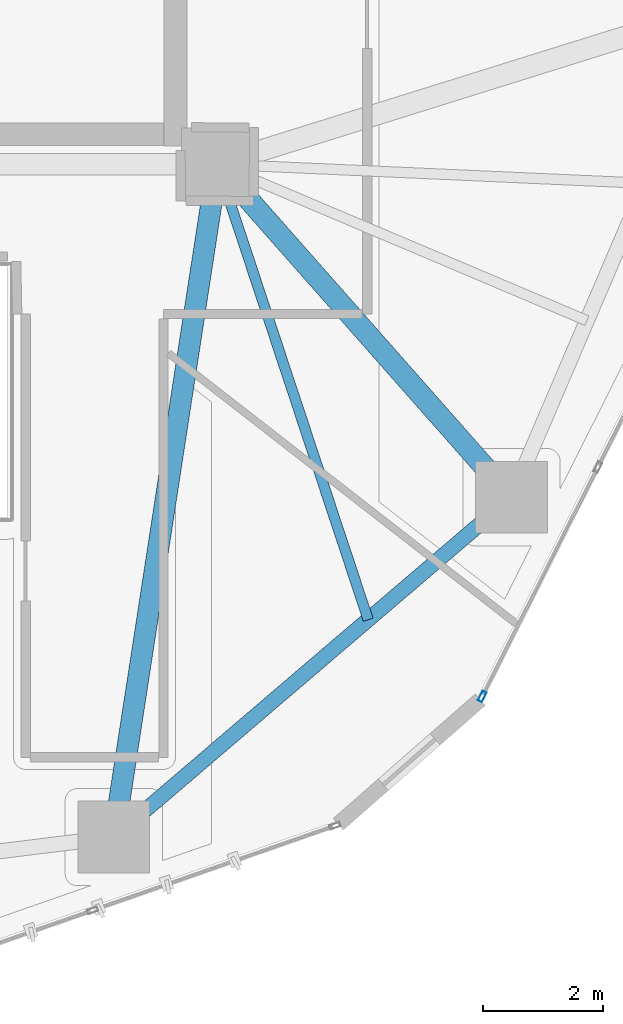
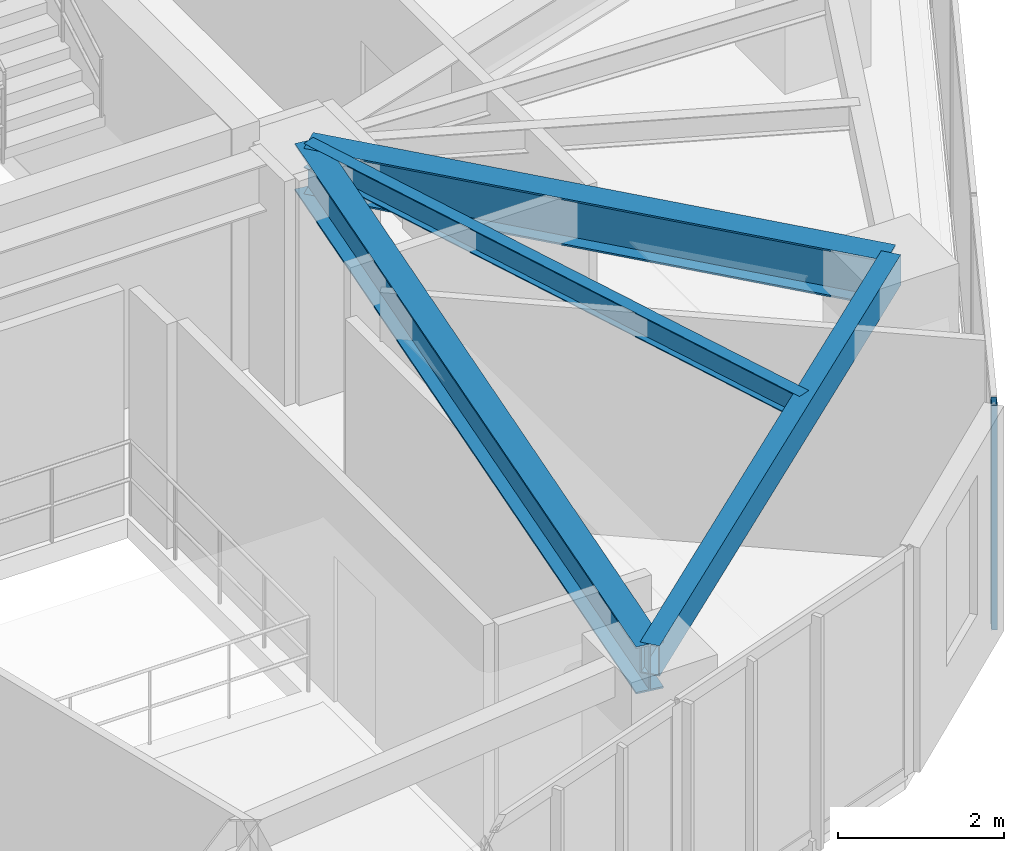
# One storey, part 6 of 21: 4 beams, 1 member, 1 element without a shape of its own.
"""IFC4 building model written with IfcOpenShell, lengths in metres."""

import ifcopenshell
import ifcopenshell.guid

model = None  # the IFC model being written
_history = None  # IfcOwnerHistory: only IFC2X3 demands one
_inside = {}  # id of a spatial element -> (the spatial element, [elements in it])
_under = {}  # id of a project, library or spatial element -> (it, [spatial elements below it])
_declared = {}  # id of a project -> (the project, [libraries it declares])
_typed = {}  # id of a type object -> (the type object, [elements of that type])
_made_of = {}  # id of a material, layer set ... -> (it, [elements and type objects made of it])


def new_model(schema):
    """Start an empty IFC model of exactly this schema.

    Asked for "IFC4X3", IfcOpenShell would pick the latest addendum, in which some entities
    have other attributes; the version numbers below select the first issue.
    IFC2X3 requires an IfcOwnerHistory on every rooted entity: one is made here for all.
    """
    global model, _history
    if schema == "IFC4X3":
        model = ifcopenshell.file(schema_version=(4, 3, 0, 0))
    else:
        model = ifcopenshell.file(schema=schema)
    _inside.clear()
    _under.clear()
    _declared.clear()
    _typed.clear()
    _made_of.clear()
    _history = None
    if model.schema == "IFC2X3":
        org = make("IfcOrganization", Name="unknown")
        user = make(
            "IfcPersonAndOrganization",
            ThePerson=make("IfcPerson", FamilyName="unknown"),
            TheOrganization=org,
        )
        app = make(
            "IfcApplication",
            ApplicationDeveloper=org,
            Version="unknown",
            ApplicationFullName="unknown",
            ApplicationIdentifier="unknown",
        )
        _history = make(
            "IfcOwnerHistory",
            OwningUser=user,
            OwningApplication=app,
            ChangeAction="ADDED",
            CreationDate=0,
        )
    return model


def make(cls, **values):
    """One entity of the class cls with the attributes given. An attribute that is None is left unset."""
    return model.create_entity(
        cls, **{name: value for name, value in values.items() if value is not None}
    )


def rooted(cls, **values):
    """An entity with a GlobalId (a new one), such as an element, a storey or a relation."""
    return make(cls, GlobalId=ifcopenshell.guid.new(), OwnerHistory=_history, **values)


def si_unit(unit_type, name, prefix=None):
    """IfcSIUnit, for example si_unit("LENGTHUNIT", "METRE", prefix="MILLI")."""
    return make("IfcSIUnit", UnitType=unit_type, Prefix=prefix, Name=name)


def assignment(units):
    """IfcUnitAssignment: the units of a project."""
    return None if units is None else make("IfcUnitAssignment", Units=units)


def point(xyz):
    """IfcCartesianPoint."""
    return None if xyz is None else make("IfcCartesianPoint", Coordinates=xyz)


def direction(xyz):
    """IfcDirection."""
    return None if xyz is None else make("IfcDirection", DirectionRatios=xyz)


def frame(location, z_axis=None, x_axis=None):
    """IfcAxis2Placement3D, a coordinate frame: its origin and axes. An axis left out is left unset."""
    return make(
        "IfcAxis2Placement3D",
        Location=point(location),
        Axis=direction(z_axis),
        RefDirection=direction(x_axis),
    )


def frame_2d(location, x_axis=None):
    """IfcAxis2Placement2D, a coordinate frame in the plane: its origin and x axis."""
    return make(
        "IfcAxis2Placement2D", Location=point(location), RefDirection=direction(x_axis)
    )


def origin():
    """The frame at (0, 0, 0) with its axes left unset."""
    return frame((0.0, 0.0, 0.0))


def origin_2d():
    """The frame at (0, 0) in the plane with its x axis left unset."""
    return frame_2d((0.0, 0.0))


def place(relative_to, where):
    """IfcLocalPlacement: puts the frame where relative to a parent placement (None: the world)."""
    return make(
        "IfcLocalPlacement", PlacementRelTo=relative_to, RelativePlacement=where
    )


def context(
    kind, dimensions, precision=None, world=None, true_north=None, identifier=None
):
    """IfcGeometricRepresentationContext, for example the 3D "Model" context."""
    return make(
        "IfcGeometricRepresentationContext",
        ContextIdentifier=identifier,
        ContextType=kind,
        CoordinateSpaceDimension=dimensions,
        Precision=precision,
        WorldCoordinateSystem=world,
        TrueNorth=true_north,
    )


def subcontext(parent, identifier, kind, view, scale=None):
    """IfcGeometricRepresentationSubContext, for example "Body" below "Model"."""
    return make(
        "IfcGeometricRepresentationSubContext",
        ContextIdentifier=identifier,
        ContextType=kind,
        ParentContext=parent,
        TargetScale=scale,
        TargetView=view,
    )


def project(units=None, contexts=None):
    """IfcProject with its units and contexts."""
    return rooted(
        "IfcProject",
        Name="project",
        RepresentationContexts=contexts,
        UnitsInContext=assignment(units),
    )


def spatial(cls, under=None, at=None, **own):
    """A site, building, storey or space (cls), placed at a placement, below another one or the project."""
    s = rooted(cls, ObjectPlacement=at, **own)
    if under is not None:
        _under.setdefault(under.id(), (under, []))[1].append(s)
    return s


def profile(cls, at=None, kind="AREA", **sizes):
    """A parametric profile (cls). Its sizes go by their IFC names, for example OverallWidth=200.0."""
    return make(cls, ProfileType=kind, Position=at, **sizes)


def hollow_rectangle(**sizes):
    """IfcRectangleHollowProfileDef."""
    return profile("IfcRectangleHollowProfileDef", **sizes)


def i_section(**sizes):
    """IfcIShapeProfileDef."""
    return profile("IfcIShapeProfileDef", **sizes)


def extrude(swept, where, along, depth):
    """IfcExtrudedAreaSolid: the profile swept, set in the frame where, extruded along a direction by depth."""
    return make(
        "IfcExtrudedAreaSolid",
        SweptArea=swept,
        Position=where,
        ExtrudedDirection=direction(along),
        Depth=depth,
    )


def shape(context_of_items, identifier, shape_type, items):
    """IfcShapeRepresentation: the items that make up one representation, for example the "Body"."""
    return make(
        "IfcShapeRepresentation",
        ContextOfItems=context_of_items,
        RepresentationIdentifier=identifier,
        RepresentationType=shape_type,
        Items=items,
    )


def source(mapping_origin, context_of_items, identifier, shape_type, items):
    """IfcRepresentationMap: a shape defined once, which mapped items show again and again."""
    return make(
        "IfcRepresentationMap",
        MappingOrigin=mapping_origin,
        MappedRepresentation=shape(context_of_items, identifier, shape_type, items),
    )


def transform(
    local_origin,
    x_axis=None,
    y_axis=None,
    z_axis=None,
    scale=None,
    scale2=None,
    scale3=None,
    uniform=True,
):
    """IfcCartesianTransformationOperator3D, or its non-uniform kind. x_axis, y_axis, z_axis: its Axis1, 2, 3."""
    if uniform:
        return make(
            "IfcCartesianTransformationOperator3D",
            Axis1=direction(x_axis),
            Axis2=direction(y_axis),
            LocalOrigin=point(local_origin),
            Scale=scale,
            Axis3=direction(z_axis),
        )
    return make(
        "IfcCartesianTransformationOperator3DnonUniform",
        Axis1=direction(x_axis),
        Axis2=direction(y_axis),
        LocalOrigin=point(local_origin),
        Scale=scale,
        Axis3=direction(z_axis),
        Scale2=scale2,
        Scale3=scale3,
    )


def mapped(mapping_source, mapping_target):
    """IfcMappedItem: shows the shape of a source again, moved by a transform."""
    return make(
        "IfcMappedItem", MappingSource=mapping_source, MappingTarget=mapping_target
    )


def material(Name=None, Category=None):
    """IfcMaterial."""
    return make("IfcMaterial", Name=Name, Category=Category)


def layer(
    of_material, thickness, ventilated=None, Name=None, Category=None, Priority=None
):
    """IfcMaterialLayer: one layer of a wall or slab, of a material (None: an air gap)."""
    return make(
        "IfcMaterialLayer",
        Material=of_material,
        LayerThickness=thickness,
        IsVentilated=ventilated,
        Name=Name,
        Category=Category,
        Priority=Priority,
    )


def layer_set(layers, Name=None):
    """IfcMaterialLayerSet."""
    return make("IfcMaterialLayerSet", MaterialLayers=layers, LayerSetName=Name)


def material_profile(
    of_material, cross_section, Name=None, Category=None, Priority=None
):
    """IfcMaterialProfile: a cross section and its material."""
    return make(
        "IfcMaterialProfile",
        Name=Name,
        Material=of_material,
        Profile=cross_section,
        Priority=Priority,
        Category=Category,
    )


def profile_set(profiles, Name=None, composite=None):
    """IfcMaterialProfileSet."""
    return make(
        "IfcMaterialProfileSet",
        Name=Name,
        MaterialProfiles=profiles,
        CompositeProfile=composite,
    )


def made_of(thing, what):
    """Note that an element or type object is made of a material, layer set ...; save() writes the relation."""
    if what is not None:
        _made_of.setdefault(what.id(), (what, []))[1].append(thing)
    return thing


def type_object(cls, material=None, **own):
    """A type object (cls), such as IfcWallType, which elements share."""
    return made_of(rooted(cls, **own), material)


def type_shapes(of_type, sources):
    """Give a type object the sources (RepresentationMaps) that its elements show as mapped items."""
    of_type.RepresentationMaps = sources


def element(
    cls,
    number,
    at=None,
    inside=None,
    cuts=None,
    type_object=None,
    material=None,
    context=None,
    identifier="Body",
    shape_type=None,
    held_by="IfcProductDefinitionShape",
    body=None,
    shapes=None,
    **own,
):
    """One element of the class cls, such as IfcWall. Its Tag is "e" and its number.

    at: its placement. inside: the storey or other place that contains it. cuts: it is an
    opening in that element (IfcRelVoidsElement). A single representation is given by context,
    identifier, shape_type and body (its items); several are given by shapes. held_by: the class
    of the entity that holds the representations. save() writes the other relations.
    """
    e = rooted(cls, Tag="e%d" % number, ObjectPlacement=at, **own)
    if body is not None:
        shapes = [shape(context, identifier, shape_type, body)]
    if shapes is not None:
        e.Representation = make(held_by, Representations=shapes)
    if inside is not None:
        _inside.setdefault(inside.id(), (inside, []))[1].append(e)
    if cuts is not None:
        rooted(
            "IfcRelVoidsElement", RelatingBuildingElement=cuts, RelatedOpeningElement=e
        )
    if type_object is not None:
        _typed.setdefault(type_object.id(), (type_object, []))[1].append(e)
    return made_of(e, material)


def aggregate(whole, parts):
    """IfcRelAggregates: a whole, such as a stair, and the parts it consists of."""
    return rooted("IfcRelAggregates", RelatingObject=whole, RelatedObjects=parts)


def save(model, path):
    """Write the relations noted so far, then the file.

    IfcRelAggregates (storeys below a building ...), IfcRelContainedInSpatialStructure (elements
    in a storey), IfcRelDefinesByType, IfcRelAssociatesMaterial and IfcRelDeclares: one each for
    every whole, place, type object, material and project.
    """
    for whole, parts in _under.values():
        aggregate(whole, parts)
    for where, things in _inside.values():
        rooted(
            "IfcRelContainedInSpatialStructure",
            RelatedElements=things,
            RelatingStructure=where,
        )
    for kind, things in _typed.values():
        rooted("IfcRelDefinesByType", RelatedObjects=things, RelatingType=kind)
    for what, things in _made_of.values():
        rooted("IfcRelAssociatesMaterial", RelatedObjects=things, RelatingMaterial=what)
    for by, libraries in _declared.values():
        rooted("IfcRelDeclares", RelatingContext=by, RelatedDefinitions=libraries)
    model.write(path)


model = new_model("IFC4")

# Units and contexts
model_context = context("Model", 3, precision=1e-05, world=origin(), true_north=direction((0.0, 1.0)))
body_context = subcontext(model_context, "Body", "Model", "MODEL_VIEW")
ifc_project = project(units=[si_unit("LENGTHUNIT", "METRE"), si_unit("AREAUNIT", "SQUARE_METRE"), si_unit("VOLUMEUNIT", "CUBIC_METRE"), si_unit("PLANEANGLEUNIT", "RADIAN"), si_unit("MASSUNIT", "GRAM", prefix="KILO")], contexts=[model_context])

# Site, building, storey
site_placement = place(None, origin())
site = spatial("IfcSite", under=ifc_project, at=site_placement, CompositionType="ELEMENT")
building_placement = place(site_placement, origin())
building = spatial("IfcBuilding", under=site, at=building_placement, Name="Talar Marvaseh", CompositionType="ELEMENT")
storey_placement = place(building_placement, frame((0.0, 0.0, 147.0)))
storey = spatial("IfcBuildingStorey", under=building, at=storey_placement, Name="L38", CompositionType="ELEMENT", Elevation=147.0)

# Beams
ifc_material_1 = material(Name="Steel S355", Category="steel")
ifc_material_profile_1 = material_profile(ifc_material_1, hollow_rectangle(XDim=0.25, YDim=0.449951171875, WallThickness=0.01611328125, at=origin_2d()), Name="RHS450x250x16")
ifc_profile_set_1 = profile_set([ifc_material_profile_1], Name="Steel S355")
beam_type_1 = type_object("IfcBeamType", Name="Zone 2 Perimeter Spandrel Beam RHS450x250x16", PredefinedType="SPANDREL", material=ifc_profile_set_1)
beam_1_placement = place(storey_placement, frame((38.2060546875, 19.94091796875, 3.0849609375), z_axis=(-0.76011265597, -0.649791312833, 0.0), x_axis=(0.649791312833, -0.76011265597, 0.0)))
element("IfcBeam", 1, at=beam_1_placement, inside=storey, type_object=beam_type_1, Name="L38 Zone 2 Perimeter Spandrel Beam RHS450x250x16", PredefinedType="SPANDREL", context=body_context, shape_type="SweptSolid", body=[
    extrude(hollow_rectangle(XDim=0.25, YDim=0.449951171875, WallThickness=0.01611328125, at=origin_2d()), origin(), (0.0, 0.0, 1.0), 8.730224609375),
])
ifc_material_profile_2 = material_profile(ifc_material_1, i_section(OverallWidth=0.35498046875, OverallDepth=0.695068359375, WebThickness=0.015380859375, FlangeThickness=0.02490234375, at=origin_2d()), Name="W690x217")
ifc_profile_set_2 = profile_set([ifc_material_profile_2], Name="Steel S355")
beam_type_2 = type_object("IfcBeamType", Name="Zone 2 Radial Floor Girder W690x217", PredefinedType="BEAM", material=ifc_profile_set_2)
beam_2_placement = place(storey_placement, frame((38.2060546875, 19.94091796875, 2.96240234375), z_axis=(-0.661692423388, 0.749775390921, 0.0), x_axis=(-0.749775390921, -0.661692423388, 0.0)))
element("IfcBeam", 2, at=beam_2_placement, inside=storey, type_object=beam_type_2, Name="L38 Zone 2 Radial Floor Girder W690x217", PredefinedType="BEAM", context=body_context, shape_type="SweptSolid", body=[
    extrude(i_section(OverallWidth=0.35498046875, OverallDepth=0.695068359375, WebThickness=0.015380859375, FlangeThickness=0.02490234375, at=origin_2d()), origin(), (0.0, 0.0, 1.0), 7.414306640625),
])
beam_3_placement = place(storey_placement, frame((31.570068359375, 14.26806640625, 2.96240234375), z_axis=(0.152228300633, 0.98834535689, 0.0), x_axis=(-0.98834535689, 0.152228300633, 0.0)))
element("IfcBeam", 3, at=beam_3_placement, inside=storey, type_object=beam_type_2, Name="L38 Zone 2 Radial Floor Girder W690x217", PredefinedType="BEAM", context=body_context, shape_type="SweptSolid", body=[
    extrude(i_section(OverallWidth=0.35498046875, OverallDepth=0.695068359375, WebThickness=0.015380859375, FlangeThickness=0.02490234375, at=origin_2d()), origin(), (0.0, 0.0, 1.0), 11.364501953125),
])
ifc_material_profile_3 = material_profile(ifc_material_1, i_section(OverallWidth=0.172119140625, OverallDepth=0.35791015625, WebThickness=0.0078125, FlangeThickness=0.01318359375, at=origin_2d()), Name="W360x57")
ifc_profile_set_3 = profile_set([ifc_material_profile_3], Name="Steel S355")
beam_type_3 = type_object("IfcBeamType", Name="Zone 2 Secondary Floor Joist W360x57", PredefinedType="JOIST", material=ifc_profile_set_3)
beam_4_placement = place(storey_placement, frame((35.81689453125, 17.898681640625, 3.131103515625), z_axis=(-0.314324535154, 0.949315588516, 0.0), x_axis=(-0.949315588516, -0.314324535154, 0.0)))
element("IfcBeam", 4, at=beam_4_placement, inside=storey, type_object=beam_type_3, Name="L38 Zone 2 Secondary Floor Joist W360x57", PredefinedType="JOIST", context=body_context, shape_type="SweptSolid", body=[
    extrude(i_section(OverallWidth=0.172119140625, OverallDepth=0.35791015625, WebThickness=0.0078125, FlangeThickness=0.01318359375, at=origin_2d()), origin(), (0.0, 0.0, 1.0), 8.007080078125),
])

# Curtain wall, member
ifc_material_2 = material(Name="Architectural Aluminium", Category="aluminium")
ifc_layer = layer(ifc_material_2, 0.199951171875)
ifc_layer_set = layer_set([ifc_layer], Name="Architectural Aluminium")
curtain_wall_type = type_object("IfcCurtainWallType", Name="Unitised Acoustic Library Curtain Wall Z2", PredefinedType="NOTDEFINED", material=ifc_layer_set)
curtain_wall_placement = place(storey_placement, origin())
curtain_wall = element("IfcCurtainWall", 5, at=curtain_wall_placement, inside=storey, type_object=curtain_wall_type, Name="L38 Unitised Acoustic Library Curtain Wall Z2", PredefinedType="NOTDEFINED")
ifc_material_profile_4 = material_profile(ifc_material_2, hollow_rectangle(XDim=0.074951171875, YDim=0.179931640625, WallThickness=0.0048828125, at=origin_2d()), Name="RHS180x75x5")
ifc_profile_set_4 = profile_set([ifc_material_profile_4], Name="Architectural Aluminium")
member_type = type_object("IfcMemberType", Name="Unitised Curtain Wall Standard Mullion RHS180x75x5", PredefinedType="MULLION", material=ifc_profile_set_4)
shared_shape = source(origin(), body_context, "Body", "SweptSolid", [
    extrude(hollow_rectangle(XDim=0.074951171875, YDim=0.179931640625, WallThickness=0.0048828125, at=origin_2d()), origin(), (0.0, 0.0, 1.0), 3.31005859375),
])
type_shapes(member_type, [shared_shape])
member_placement = place(storey_placement, frame((37.720703125, 16.614501953125, 0.0), z_axis=(0.0, 0.0, 1.0), x_axis=(0.892909429351, -0.450236327916, 0.0)))
member = element("IfcMember", 6, at=member_placement, type_object=member_type, Name="CW-Z2 mullion 6", PredefinedType="MULLION", context=body_context, shape_type="MappedRepresentation", body=[
    mapped(shared_shape, transform((0.0, 0.0, 0.0), x_axis=(1.0, 0.0, 0.0), y_axis=(0.0, 1.0, 0.0), z_axis=(0.0, 0.0, 1.0), scale=1.0)),
])
aggregate(curtain_wall, [member])

save(model, "model.ifc")
